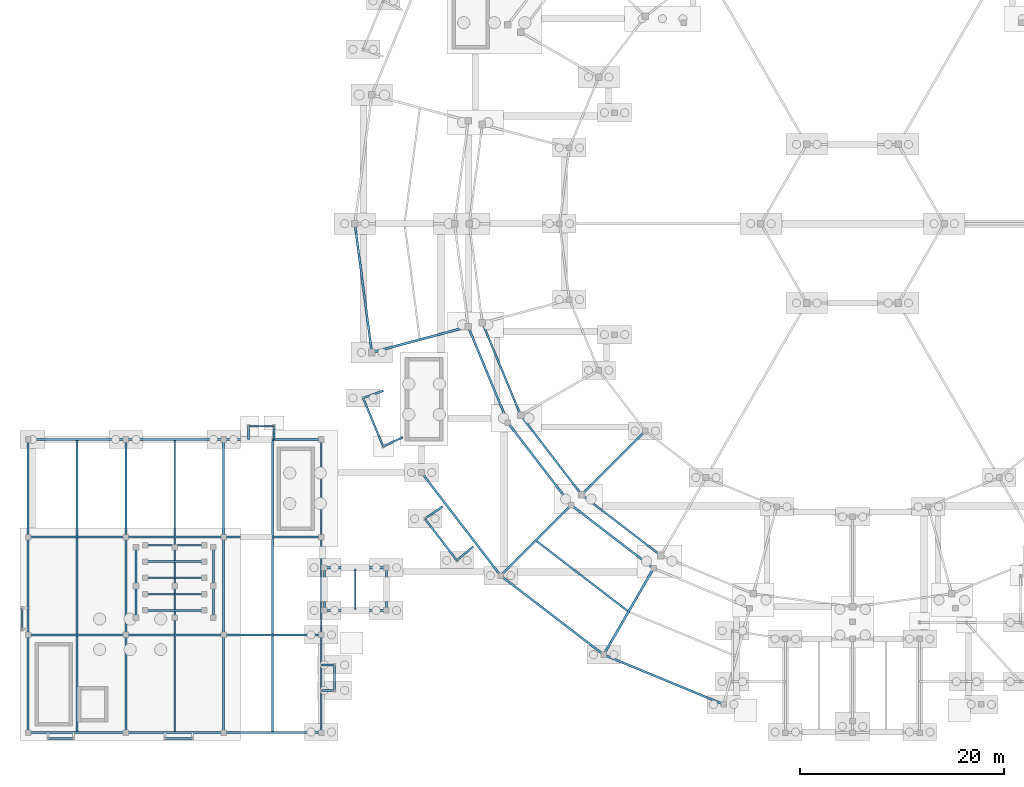
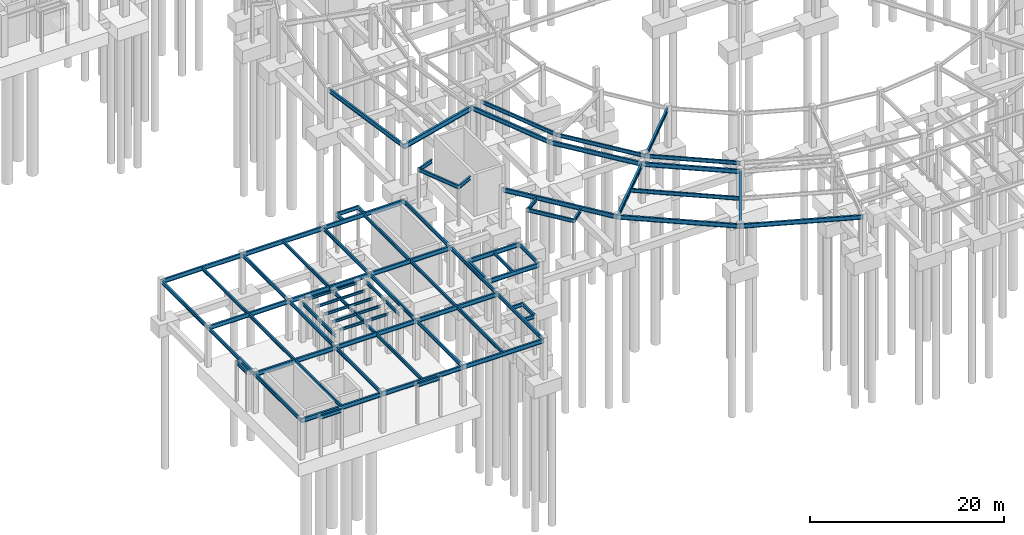
# One storey, part 37 of 55: 77 beams.
"""IFC4 building model written with IfcOpenShell, lengths in metres."""

from ifc_helpers import new_model, si_unit, direction, frame, origin, origin_2d, place, context, subcontext, project, spatial, i_section, extrude, material, material_profile, profile_set, type_object, element, save


model = new_model("IFC4")

# Units and contexts
model_context = context("Model", 3, precision=1e-05, world=origin(), true_north=direction((0.0, 1.0)))
body_context = subcontext(model_context, "Body", "Model", "MODEL_VIEW")
ifc_project = project(units=[si_unit("LENGTHUNIT", "METRE"), si_unit("AREAUNIT", "SQUARE_METRE"), si_unit("VOLUMEUNIT", "CUBIC_METRE"), si_unit("PLANEANGLEUNIT", "RADIAN"), si_unit("MASSUNIT", "GRAM", prefix="KILO")], contexts=[model_context])

# Site, building, storey
site_placement = place(None, origin())
site = spatial("IfcSite", under=ifc_project, at=site_placement, CompositionType="ELEMENT")
building_placement = place(site_placement, origin())
building = spatial("IfcBuilding", under=site, at=building_placement, Name="Almandine Court Research Institute", CompositionType="ELEMENT")
storey_placement = place(building_placement, frame((0.0, 0.0, -5.25)))
storey = spatial("IfcBuildingStorey", under=building, at=storey_placement, Name="B1", CompositionType="ELEMENT", Elevation=-5.25)

# Beams
ifc_material = material(Name="Steel ASTM A992 Grade 50", Category="steel")
ifc_material_profile_1 = material_profile(ifc_material, i_section(OverallWidth=0.18994140625, OverallDepth=0.45703125, WebThickness=0.009033203125, FlangeThickness=0.014892578125, at=origin_2d()), Name="W460x74")
ifc_profile_set_1 = profile_set([ifc_material_profile_1], Name="Steel ASTM A992 Grade 50")
beam_type_1 = type_object("IfcBeamType", Name="Beam-B-01", PredefinedType="BEAM", material=ifc_profile_set_1)
for number, where, z_axis, x_axis, name in (
    (1, (6.0, 6.0, 4.77099609375), (0.0, 1.0, 0.0), (-1.0, 0.0, 0.0), "B1 V1 Primary Y Girder"),
    (2, (15.60009765625, 6.0, 4.77099609375), (0.0, 1.0, 0.0), (-1.0, 0.0, 0.0), "B1 V1 Primary Y Girder"),
    (3, (25.199951171875, 6.0, 4.77099609375), (0.0, 1.0, 0.0), (-1.0, 0.0, 0.0), "B1 V1 Primary Y Girder"),
    (4, (34.800048828125, 6.0, 4.77099609375), (0.0, 1.0, 0.0), (-1.0, 0.0, 0.0), "B1 V1 Primary Y Girder"),
):
    element("IfcBeam", number, at=place(storey_placement, frame(where, z_axis=z_axis, x_axis=x_axis)), inside=storey, type_object=beam_type_1, Name=name, PredefinedType="BEAM", context=body_context, shape_type="SweptSolid", body=[
        extrude(i_section(OverallWidth=0.18994140625, OverallDepth=0.45703125, WebThickness=0.009033203125, FlangeThickness=0.014892578125, at=origin_2d()), origin(), (0.0, 0.0, 1.0), 9.60009765625),
    ])
for number, where, z_axis, x_axis, name in (
    (5, (6.0, 15.60009765625, 4.77099609375), (0.0, 1.0, 0.0), (-1.0, 0.0, 0.0), "B1 V1 Primary Y Girder"),
    (6, (15.60009765625, 15.60009765625, 4.77099609375), (0.0, 1.0, 0.0), (-1.0, 0.0, 0.0), "B1 V1 Primary Y Girder"),
    (7, (25.199951171875, 15.60009765625, 4.77099609375), (0.0, 1.0, 0.0), (-1.0, 0.0, 0.0), "B1 V1 Primary Y Girder"),
    (8, (34.800048828125, 15.60009765625, 4.77099609375), (0.0, 1.0, 0.0), (-1.0, 0.0, 0.0), "B1 V1 Primary Y Girder"),
):
    element("IfcBeam", number, at=place(storey_placement, frame(where, z_axis=z_axis, x_axis=x_axis)), inside=storey, type_object=beam_type_1, Name=name, PredefinedType="BEAM", context=body_context, shape_type="SweptSolid", body=[
        extrude(i_section(OverallWidth=0.18994140625, OverallDepth=0.45703125, WebThickness=0.009033203125, FlangeThickness=0.014892578125, at=origin_2d()), origin(), (0.0, 0.0, 1.0), 9.599853515625),
    ])
for number, where, z_axis, x_axis, name in (
    (9, (6.0, 25.199951171875, 4.77099609375), (0.0, 1.0, 0.0), (-1.0, 0.0, 0.0), "B1 V1 Primary Y Girder"),
    (10, (15.60009765625, 25.199951171875, 4.77099609375), (0.0, 1.0, 0.0), (-1.0, 0.0, 0.0), "B1 V1 Primary Y Girder"),
    (11, (25.199951171875, 25.199951171875, 4.77099609375), (0.0, 1.0, 0.0), (-1.0, 0.0, 0.0), "B1 V1 Primary Y Girder"),
    (12, (34.800048828125, 25.199951171875, 4.77099609375), (0.0, 1.0, 0.0), (-1.0, 0.0, 0.0), "B1 V1 Primary Y Girder"),
):
    element("IfcBeam", number, at=place(storey_placement, frame(where, z_axis=z_axis, x_axis=x_axis)), inside=storey, type_object=beam_type_1, Name=name, PredefinedType="BEAM", context=body_context, shape_type="SweptSolid", body=[
        extrude(i_section(OverallWidth=0.18994140625, OverallDepth=0.45703125, WebThickness=0.009033203125, FlangeThickness=0.014892578125, at=origin_2d()), origin(), (0.0, 0.0, 1.0), 9.60009765625),
    ])
for number, where, z_axis, x_axis, name in (
    (13, (35.10009765625, 18.0, 4.77099609375), (0.0, 1.0, 0.0), (-1.0, 0.0, 0.0), "B1 DAL-SW Primary Y Girder"),
    (14, (41.199951171875, 18.0, 4.77099609375), (0.0, 1.0, 0.0), (-1.0, 0.0, 0.0), "B1 DAL-SW Primary Y Girder"),
):
    element("IfcBeam", number, at=place(storey_placement, frame(where, z_axis=z_axis, x_axis=x_axis)), inside=storey, type_object=beam_type_1, Name=name, PredefinedType="BEAM", context=body_context, shape_type="SweptSolid", body=[
        extrude(i_section(OverallWidth=0.18994140625, OverallDepth=0.45703125, WebThickness=0.009033203125, FlangeThickness=0.014892578125, at=origin_2d()), origin(), (0.0, 0.0, 1.0), 4.199951171875),
    ])
beam_1_placement = place(storey_placement, frame((55.971923828125, 24.802978515625, 4.77099609375), z_axis=(0.793343941772, -0.608773677202, 0.0), x_axis=(0.608773677202, 0.793343941772, 0.0)))
element("IfcBeam", 15, at=beam_1_placement, inside=storey, type_object=beam_type_1, Name="B1 Drum MID Ring Beam 15", PredefinedType="BEAM", context=body_context, shape_type="SweptSolid", body=[
    extrude(i_section(OverallWidth=0.18994140625, OverallDepth=0.45703125, WebThickness=0.009033203125, FlangeThickness=0.014892578125, at=origin_2d()), origin(), (0.0, 0.0, 1.0), 11.248779296875),
])
beam_2_placement = place(storey_placement, frame((50.633056640625, 46.2548828125, 4.77099609375), z_axis=(0.382683080424, -0.92387967829, 0.0), x_axis=(0.92387967829, 0.382683080424, 0.0)))
element("IfcBeam", 16, at=beam_2_placement, inside=storey, type_object=beam_type_1, Name="B1 Atrium Outer Ring Beam", PredefinedType="BEAM", context=body_context, shape_type="SweptSolid", body=[
    extrude(i_section(OverallWidth=0.18994140625, OverallDepth=0.45703125, WebThickness=0.009033203125, FlangeThickness=0.014892578125, at=origin_2d()), origin(), (0.0, 0.0, 1.0), 9.827880859375),
])
for number, where, z_axis, x_axis, name in (
    (17, (54.39404296875, 37.175048828125, 4.77099609375), (0.608711534396, -0.793391623282, 0.0), (0.793391623282, 0.608711534396, 0.0), "B1 Atrium Outer Ring Beam"),
    (18, (60.376953125, 29.376953125, 4.77099609375), (0.793391623282, -0.608711534396, 0.0), (0.608711534396, 0.793391623282, 0.0), "B1 Atrium Outer Ring Beam"),
):
    element("IfcBeam", number, at=place(storey_placement, frame(where, z_axis=z_axis, x_axis=x_axis)), inside=storey, type_object=beam_type_1, Name=name, PredefinedType="BEAM", context=body_context, shape_type="SweptSolid", body=[
        extrude(i_section(OverallWidth=0.18994140625, OverallDepth=0.45703125, WebThickness=0.009033203125, FlangeThickness=0.014892578125, at=origin_2d()), origin(), (0.0, 0.0, 1.0), 9.828857421875),
    ])
beam_3_placement = place(storey_placement, frame((7.949951171875, 5.419921875, 4.822021484375), z_axis=(1.0, 0.0, 0.0), x_axis=(0.0, 1.0, 0.0)))
element("IfcBeam", 19, at=beam_3_placement, inside=storey, type_object=beam_type_1, Name="B1 Threshold Edge Girder PAD-V1-S1-1", PredefinedType="BEAM", context=body_context, shape_type="SweptSolid", body=[
    extrude(i_section(OverallWidth=0.18994140625, OverallDepth=0.45703125, WebThickness=0.009033203125, FlangeThickness=0.014892578125, at=origin_2d()), origin(), (0.0, 0.0, 1.0), 2.5),
])
beam_4_placement = place(storey_placement, frame((5.419921875, 16.14990234375, 4.822021484375), z_axis=(0.0, 1.0, 0.0), x_axis=(-1.0, 0.0, 0.0)))
element("IfcBeam", 20, at=beam_4_placement, inside=storey, type_object=beam_type_1, Name="B1 Threshold Edge Girder PAD-V1-W2-1", PredefinedType="BEAM", context=body_context, shape_type="SweptSolid", body=[
    extrude(i_section(OverallWidth=0.18994140625, OverallDepth=0.45703125, WebThickness=0.009033203125, FlangeThickness=0.014892578125, at=origin_2d()), origin(), (0.0, 0.0, 1.0), 2.10009765625),
])
beam_5_placement = place(storey_placement, frame((19.449951171875, 5.419921875, 4.822021484375), z_axis=(1.0, 0.0, 0.0), x_axis=(0.0, 1.0, 0.0)))
element("IfcBeam", 21, at=beam_5_placement, inside=storey, type_object=beam_type_1, Name="B1 Threshold Edge Girder PAD-V1-S2-1", PredefinedType="BEAM", context=body_context, shape_type="SweptSolid", body=[
    extrude(i_section(OverallWidth=0.18994140625, OverallDepth=0.45703125, WebThickness=0.009033203125, FlangeThickness=0.014892578125, at=origin_2d()), origin(), (0.0, 0.0, 1.0), 2.699951171875),
])
for number, where, z_axis, x_axis, name in (
    (22, (36.10009765625, 10.14990234375, 4.76904296875), (-1.0, 0.0, 0.0), (0.0, -1.0, 0.0), "B1 Threshold Support Beam PAD-V1-E1-1"),
    (23, (36.10009765625, 12.64990234375, 4.76904296875), (-1.0, 0.0, 0.0), (0.0, -1.0, 0.0), "B1 Threshold Support Beam PAD-V1-E1-2"),
):
    element("IfcBeam", number, at=place(storey_placement, frame(where, z_axis=z_axis, x_axis=x_axis)), inside=storey, type_object=beam_type_1, Name=name, PredefinedType="BEAM", context=body_context, shape_type="SweptSolid", body=[
        extrude(i_section(OverallWidth=0.18994140625, OverallDepth=0.45703125, WebThickness=0.009033203125, FlangeThickness=0.014892578125, at=origin_2d()), origin(), (0.0, 0.0, 1.0), 1.300048828125),
    ])
beam_6_placement = place(storey_placement, frame((36.10009765625, 10.14990234375, 4.822021484375), z_axis=(0.0, 1.0, 0.0), x_axis=(-1.0, 0.0, 0.0)))
element("IfcBeam", 24, at=beam_6_placement, inside=storey, type_object=beam_type_1, Name="B1 Threshold Edge Girder PAD-V1-E1-1", PredefinedType="BEAM", context=body_context, shape_type="SweptSolid", body=[
    extrude(i_section(OverallWidth=0.18994140625, OverallDepth=0.45703125, WebThickness=0.009033203125, FlangeThickness=0.014892578125, at=origin_2d()), origin(), (0.0, 0.0, 1.0), 2.5),
])
for number, where, z_axis, x_axis, name in (
    (25, (27.64990234375, 36.10009765625, 4.76904296875), (0.0, -1.0, 0.0), (1.0, 0.0, 0.0), "B1 Threshold Support Beam PAD-V1-N3-1"),
    (26, (30.14990234375, 36.10009765625, 4.76904296875), (0.0, -1.0, 0.0), (1.0, 0.0, 0.0), "B1 Threshold Support Beam PAD-V1-N3-2"),
):
    element("IfcBeam", number, at=place(storey_placement, frame(where, z_axis=z_axis, x_axis=x_axis)), inside=storey, type_object=beam_type_1, Name=name, PredefinedType="BEAM", context=body_context, shape_type="SweptSolid", body=[
        extrude(i_section(OverallWidth=0.18994140625, OverallDepth=0.45703125, WebThickness=0.009033203125, FlangeThickness=0.014892578125, at=origin_2d()), origin(), (0.0, 0.0, 1.0), 1.300048828125),
    ])
beam_7_placement = place(storey_placement, frame((27.64990234375, 36.10009765625, 4.822021484375), z_axis=(1.0, 0.0, 0.0), x_axis=(0.0, 1.0, 0.0)))
element("IfcBeam", 27, at=beam_7_placement, inside=storey, type_object=beam_type_1, Name="B1 Threshold Edge Girder PAD-V1-N3-1", PredefinedType="BEAM", context=body_context, shape_type="SweptSolid", body=[
    extrude(i_section(OverallWidth=0.18994140625, OverallDepth=0.45703125, WebThickness=0.009033203125, FlangeThickness=0.014892578125, at=origin_2d()), origin(), (0.0, 0.0, 1.0), 2.5),
])
for number, where, z_axis, x_axis, name in (
    (28, (38.907958984375, 38.875, 4.76904296875), (0.942085363874, 0.33537317599, 0.0), (-0.33537317599, 0.942085363874, 0.0), "B1 Drum Threshold Radial Beam PAD-DRUM-S13-1"),
    (29, (40.885009765625, 34.10302734375, 4.76904296875), (0.903406906619, 0.42878428268, 0.0), (-0.42878428268, 0.903406906619, 0.0), "B1 Drum Threshold Radial Beam PAD-DRUM-S13-2"),
):
    element("IfcBeam", number, at=place(storey_placement, frame(where, z_axis=z_axis, x_axis=x_axis)), inside=storey, type_object=beam_type_1, Name=name, PredefinedType="BEAM", context=body_context, shape_type="SweptSolid", body=[
        extrude(i_section(OverallWidth=0.18994140625, OverallDepth=0.45703125, WebThickness=0.009033203125, FlangeThickness=0.014892578125, at=origin_2d()), origin(), (0.0, 0.0, 1.0), 2.119873046875),
    ])
beam_8_placement = place(storey_placement, frame((38.907958984375, 38.875, 4.822021484375), z_axis=(0.382755311713, -0.923849755834, 0.0), x_axis=(0.923849755834, 0.382755311713, 0.0)))
element("IfcBeam", 30, at=beam_8_placement, inside=storey, type_object=beam_type_1, Name="B1 Drum Threshold Edge Beam PAD-DRUM-S13", PredefinedType="BEAM", context=body_context, shape_type="SweptSolid", body=[
    extrude(i_section(OverallWidth=0.18994140625, OverallDepth=0.45703125, WebThickness=0.009033203125, FlangeThickness=0.014892578125, at=origin_2d()), origin(), (0.0, 0.0, 1.0), 5.165283203125),
])
beam_9_placement = place(storey_placement, frame((44.97900390625, 27.011962890625, 4.76904296875), z_axis=(0.82330187502, 0.56760375491, 0.0), x_axis=(-0.56760375491, 0.82330187502, 0.0)))
element("IfcBeam", 31, at=beam_9_placement, inside=storey, type_object=beam_type_1, Name="B1 Drum Threshold Radial Beam PAD-DRUM-S14-1", PredefinedType="BEAM", context=body_context, shape_type="SweptSolid", body=[
    extrude(i_section(OverallWidth=0.18994140625, OverallDepth=0.45703125, WebThickness=0.009033203125, FlangeThickness=0.014892578125, at=origin_2d()), origin(), (0.0, 0.0, 1.0), 2.11962890625),
])
beam_10_placement = place(storey_placement, frame((48.123046875, 22.9130859375, 4.76904296875), z_axis=(0.761640946437, 0.647999281413, 0.0), x_axis=(-0.647999281413, 0.761640946437, 0.0)))
element("IfcBeam", 32, at=beam_10_placement, inside=storey, type_object=beam_type_1, Name="B1 Drum Threshold Radial Beam PAD-DRUM-S14-2", PredefinedType="BEAM", context=body_context, shape_type="SweptSolid", body=[
    extrude(i_section(OverallWidth=0.18994140625, OverallDepth=0.45703125, WebThickness=0.009033203125, FlangeThickness=0.014892578125, at=origin_2d()), origin(), (0.0, 0.0, 1.0), 2.120361328125),
])
beam_11_placement = place(storey_placement, frame((44.97900390625, 27.011962890625, 4.822021484375), z_axis=(0.608623016028, -0.793459529126, 0.0), x_axis=(0.793459529126, 0.608623016028, 0.0)))
element("IfcBeam", 33, at=beam_11_placement, inside=storey, type_object=beam_type_1, Name="B1 Drum Threshold Edge Beam PAD-DRUM-S14", PredefinedType="BEAM", context=body_context, shape_type="SweptSolid", body=[
    extrude(i_section(OverallWidth=0.18994140625, OverallDepth=0.45703125, WebThickness=0.009033203125, FlangeThickness=0.014892578125, at=origin_2d()), origin(), (0.0, 0.0, 1.0), 5.165771484375),
])
ifc_material_profile_2 = material_profile(ifc_material, i_section(OverallWidth=0.178955078125, OverallDepth=0.409912109375, WebThickness=0.009033203125, FlangeThickness=0.013916015625, at=origin_2d()), Name="W410x67")
ifc_profile_set_2 = profile_set([ifc_material_profile_2], Name="Steel ASTM A992 Grade 50")
beam_type_2 = type_object("IfcBeamType", Name="Beam-B-02", PredefinedType="JOIST", material=ifc_profile_set_2)
for number, where, z_axis, x_axis, name in (
    (34, (10.800048828125, 6.10400390625, 4.794921875), (0.0, 1.0, 0.0), (-1.0, 0.0, 0.0), "B1 V1 Composite Secondary Beam"),
    (35, (20.39990234375, 6.10400390625, 4.794921875), (0.0, 1.0, 0.0), (-1.0, 0.0, 0.0), "B1 V1 Composite Secondary Beam"),
    (36, (30.0, 6.10400390625, 4.794921875), (0.0, 1.0, 0.0), (-1.0, 0.0, 0.0), "B1 V1 Composite Secondary Beam"),
):
    element("IfcBeam", number, at=place(storey_placement, frame(where, z_axis=z_axis, x_axis=x_axis)), inside=storey, type_object=beam_type_2, Name=name, PredefinedType="JOIST", context=body_context, shape_type="SweptSolid", body=[
        extrude(i_section(OverallWidth=0.178955078125, OverallDepth=0.409912109375, WebThickness=0.009033203125, FlangeThickness=0.013916015625, at=origin_2d()), origin(), (0.0, 0.0, 1.0), 9.39208984375),
    ])
for number, where, z_axis, x_axis, name in (
    (37, (10.800048828125, 15.7041015625, 4.794921875), (0.0, 1.0, 0.0), (-1.0, 0.0, 0.0), "B1 V1 Composite Secondary Beam"),
    (38, (20.39990234375, 15.7041015625, 4.794921875), (0.0, 1.0, 0.0), (-1.0, 0.0, 0.0), "B1 V1 Composite Secondary Beam"),
    (39, (30.0, 15.7041015625, 4.794921875), (0.0, 1.0, 0.0), (-1.0, 0.0, 0.0), "B1 V1 Composite Secondary Beam"),
):
    element("IfcBeam", number, at=place(storey_placement, frame(where, z_axis=z_axis, x_axis=x_axis)), inside=storey, type_object=beam_type_2, Name=name, PredefinedType="JOIST", context=body_context, shape_type="SweptSolid", body=[
        extrude(i_section(OverallWidth=0.178955078125, OverallDepth=0.409912109375, WebThickness=0.009033203125, FlangeThickness=0.013916015625, at=origin_2d()), origin(), (0.0, 0.0, 1.0), 9.391845703125),
    ])
for number, where, z_axis, x_axis, name in (
    (40, (10.800048828125, 25.302978515625, 4.794921875), (0.0, 1.0, 0.0), (-1.0, 0.0, 0.0), "B1 V1 Composite Secondary Beam"),
    (41, (20.39990234375, 25.302978515625, 4.794921875), (0.0, 1.0, 0.0), (-1.0, 0.0, 0.0), "B1 V1 Composite Secondary Beam"),
    (42, (30.0, 25.302978515625, 4.794921875), (0.0, 1.0, 0.0), (-1.0, 0.0, 0.0), "B1 V1 Composite Secondary Beam"),
):
    element("IfcBeam", number, at=place(storey_placement, frame(where, z_axis=z_axis, x_axis=x_axis)), inside=storey, type_object=beam_type_2, Name=name, PredefinedType="JOIST", context=body_context, shape_type="SweptSolid", body=[
        extrude(i_section(OverallWidth=0.178955078125, OverallDepth=0.409912109375, WebThickness=0.009033203125, FlangeThickness=0.013916015625, at=origin_2d()), origin(), (0.0, 0.0, 1.0), 9.39404296875),
    ])
beam_12_placement = place(storey_placement, frame((16.60009765625, 17.300048828125, 4.794921875), z_axis=(0.0, 1.0, 0.0), x_axis=(-1.0, 0.0, 0.0)))
element("IfcBeam", 43, at=beam_12_placement, inside=storey, type_object=beam_type_2, Name="B1 Lecture Raker Tie 1-1", PredefinedType="JOIST", context=body_context, shape_type="SweptSolid", body=[
    extrude(i_section(OverallWidth=0.178955078125, OverallDepth=0.409912109375, WebThickness=0.009033203125, FlangeThickness=0.013916015625, at=origin_2d()), origin(), (0.0, 0.0, 1.0), 3.099853515625),
])
beam_13_placement = place(storey_placement, frame((16.60009765625, 20.39990234375, 4.794921875), z_axis=(0.0, 1.0, 0.0), x_axis=(-1.0, 0.0, 0.0)))
element("IfcBeam", 44, at=beam_13_placement, inside=storey, type_object=beam_type_2, Name="B1 Lecture Raker Tie 1-2", PredefinedType="JOIST", context=body_context, shape_type="SweptSolid", body=[
    extrude(i_section(OverallWidth=0.178955078125, OverallDepth=0.409912109375, WebThickness=0.009033203125, FlangeThickness=0.013916015625, at=origin_2d()), origin(), (0.0, 0.0, 1.0), 3.800048828125),
])
beam_14_placement = place(storey_placement, frame((24.199951171875, 17.300048828125, 4.794921875), z_axis=(0.0, 1.0, 0.0), x_axis=(-1.0, 0.0, 0.0)))
element("IfcBeam", 45, at=beam_14_placement, inside=storey, type_object=beam_type_2, Name="B1 Lecture Raker Tie 3-1", PredefinedType="JOIST", context=body_context, shape_type="SweptSolid", body=[
    extrude(i_section(OverallWidth=0.178955078125, OverallDepth=0.409912109375, WebThickness=0.009033203125, FlangeThickness=0.013916015625, at=origin_2d()), origin(), (0.0, 0.0, 1.0), 3.099853515625),
])
beam_15_placement = place(storey_placement, frame((24.199951171875, 20.39990234375, 4.794921875), z_axis=(0.0, 1.0, 0.0), x_axis=(-1.0, 0.0, 0.0)))
element("IfcBeam", 46, at=beam_15_placement, inside=storey, type_object=beam_type_2, Name="B1 Lecture Raker Tie 3-2", PredefinedType="JOIST", context=body_context, shape_type="SweptSolid", body=[
    extrude(i_section(OverallWidth=0.178955078125, OverallDepth=0.409912109375, WebThickness=0.009033203125, FlangeThickness=0.013916015625, at=origin_2d()), origin(), (0.0, 0.0, 1.0), 3.800048828125),
])
ifc_material_profile_3 = material_profile(ifc_material, i_section(OverallWidth=0.172119140625, OverallDepth=0.35791015625, WebThickness=0.008056640625, FlangeThickness=0.012939453125, at=origin_2d()), Name="W360x57")
ifc_profile_set_3 = profile_set([ifc_material_profile_3], Name="Steel ASTM A992 Grade 50")
beam_type_3 = type_object("IfcBeamType", Name="Beam-B-03", PredefinedType="JOIST", material=ifc_profile_set_3)
beam_16_placement = place(storey_placement, frame((38.14990234375, 18.10400390625, 4.821044921875), z_axis=(0.0, 1.0, 0.0), x_axis=(-1.0, 0.0, 0.0)))
element("IfcBeam", 47, at=beam_16_placement, inside=storey, type_object=beam_type_3, Name="B1 DAL-SW Composite Secondary Beam", PredefinedType="JOIST", context=body_context, shape_type="SweptSolid", body=[
    extrude(i_section(OverallWidth=0.172119140625, OverallDepth=0.35791015625, WebThickness=0.008056640625, FlangeThickness=0.012939453125, at=origin_2d()), origin(), (0.0, 0.0, 1.0), 3.991943359375),
])
ifc_material_profile_4 = material_profile(ifc_material, i_section(OverallWidth=0.166015625, OverallDepth=0.31298828125, WebThickness=0.007080078125, FlangeThickness=0.010986328125, at=origin_2d()), Name="W310x45")
ifc_profile_set_4 = profile_set([ifc_material_profile_4], Name="Steel ASTM A992 Grade 50")
beam_type_4 = type_object("IfcBeamType", Name="Beam-B-04", PredefinedType="BEAM", material=ifc_profile_set_4)
for number, where, z_axis, x_axis, name in (
    (48, (17.5, 18.0, 4.843994140625), (1.0, 0.0, 0.0), (0.0, 1.0, 0.0), "B1 Lecture Tier Substructure Tie 2"),
    (49, (17.5, 19.60009765625, 4.843994140625), (1.0, 0.0, 0.0), (0.0, 1.0, 0.0), "B1 Lecture Tier Substructure Tie 3"),
    (50, (17.5, 21.199951171875, 4.843994140625), (1.0, 0.0, 0.0), (0.0, 1.0, 0.0), "B1 Lecture Tier Substructure Tie 4"),
    (51, (17.5, 22.800048828125, 4.843994140625), (1.0, 0.0, 0.0), (0.0, 1.0, 0.0), "B1 Lecture Tier Substructure Tie 5"),
    (52, (17.5, 24.39990234375, 4.843994140625), (1.0, 0.0, 0.0), (0.0, 1.0, 0.0), "B1 Lecture Tier Substructure Tie 6"),
):
    element("IfcBeam", number, at=place(storey_placement, frame(where, z_axis=z_axis, x_axis=x_axis)), inside=storey, type_object=beam_type_4, Name=name, PredefinedType="BEAM", context=body_context, shape_type="SweptSolid", body=[
        extrude(i_section(OverallWidth=0.166015625, OverallDepth=0.31298828125, WebThickness=0.007080078125, FlangeThickness=0.010986328125, at=origin_2d()), origin(), (0.0, 0.0, 1.0), 5.800048828125),
    ])
ifc_material_profile_5 = material_profile(ifc_material, i_section(OverallWidth=0.22998046875, OverallDepth=0.616943359375, WebThickness=0.012939453125, FlangeThickness=0.02197265625, at=origin_2d()), Name="W610x140")
ifc_profile_set_5 = profile_set([ifc_material_profile_5], Name="Steel ASTM A992 Grade 50")
beam_type_5 = type_object("IfcBeamType", Name="Beam-G-02", PredefinedType="BEAM", material=ifc_profile_set_5)
beam_17_placement = place(storey_placement, frame((49.23193359375, 45.8798828125, 4.69189453125), z_axis=(-0.965937821551, -0.258774274024, 0.0), x_axis=(0.258774274024, -0.965937821551, 0.0)))
element("IfcBeam", 53, at=beam_17_placement, inside=storey, type_object=beam_type_5, Name="B1 Drum Radial Girder 13", PredefinedType="BEAM", context=body_context, shape_type="SweptSolid", body=[
    extrude(i_section(OverallWidth=0.22998046875, OverallDepth=0.616943359375, WebThickness=0.012939453125, FlangeThickness=0.02197265625, at=origin_2d()), origin(), (0.0, 0.0, 1.0), 9.799560546875),
])
beam_18_placement = place(storey_placement, frame((59.35205078125, 28.35205078125, 4.69189453125), z_axis=(-0.707106781187, -0.707106781187, 0.0), x_axis=(0.707106781187, -0.707106781187, 0.0)))
element("IfcBeam", 54, at=beam_18_placement, inside=storey, type_object=beam_type_5, Name="B1 Drum Radial Girder 15", PredefinedType="BEAM", context=body_context, shape_type="SweptSolid", body=[
    extrude(i_section(OverallWidth=0.22998046875, OverallDepth=0.616943359375, WebThickness=0.012939453125, FlangeThickness=0.02197265625, at=origin_2d()), origin(), (0.0, 0.0, 1.0), 9.80029296875),
])
beam_19_placement = place(storey_placement, frame((67.449951171875, 22.137939453125, 4.69189453125), z_axis=(-0.49999201416, -0.866030014362, 0.0), x_axis=(0.866030014362, -0.49999201416, 0.0)))
element("IfcBeam", 55, at=beam_19_placement, inside=storey, type_object=beam_type_5, Name="B1 Drum Radial Girder 16", PredefinedType="BEAM", context=body_context, shape_type="SweptSolid", body=[
    extrude(i_section(OverallWidth=0.22998046875, OverallDepth=0.616943359375, WebThickness=0.012939453125, FlangeThickness=0.02197265625, at=origin_2d()), origin(), (0.0, 0.0, 1.0), 9.800048828125),
])
ifc_material_profile_6 = material_profile(ifc_material, i_section(OverallWidth=0.2109375, OverallDepth=0.5390625, WebThickness=0.011962890625, FlangeThickness=0.01904296875, at=origin_2d()), Name="W530x109")
ifc_profile_set_6 = profile_set([ifc_material_profile_6], Name="Steel ASTM A992 Grade 50")
beam_type_6 = type_object("IfcBeamType", Name="Beam-G-04", PredefinedType="BEAM", material=ifc_profile_set_6)
beam_20_placement = place(storey_placement, frame((6.0, 6.0, 4.72998046875), z_axis=(1.0, 0.0, 0.0), x_axis=(0.0, 1.0, 0.0)))
element("IfcBeam", 56, at=beam_20_placement, inside=storey, type_object=beam_type_6, Name="B1 V1 Primary X Girder", PredefinedType="BEAM", context=body_context, shape_type="SweptSolid", body=[
    extrude(i_section(OverallWidth=0.2109375, OverallDepth=0.5390625, WebThickness=0.011962890625, FlangeThickness=0.01904296875, at=origin_2d()), origin(), (0.0, 0.0, 1.0), 9.60009765625),
])
beam_21_placement = place(storey_placement, frame((15.60009765625, 6.0, 4.72998046875), z_axis=(1.0, 0.0, 0.0), x_axis=(0.0, 1.0, 0.0)))
element("IfcBeam", 57, at=beam_21_placement, inside=storey, type_object=beam_type_6, Name="B1 V1 Primary X Girder", PredefinedType="BEAM", context=body_context, shape_type="SweptSolid", body=[
    extrude(i_section(OverallWidth=0.2109375, OverallDepth=0.5390625, WebThickness=0.011962890625, FlangeThickness=0.01904296875, at=origin_2d()), origin(), (0.0, 0.0, 1.0), 9.599853515625),
])
for number, where, z_axis, x_axis, name in (
    (58, (25.199951171875, 6.0, 4.72998046875), (1.0, 0.0, 0.0), (0.0, 1.0, 0.0), "B1 V1 Primary X Girder"),
    (59, (6.0, 15.60009765625, 4.72998046875), (1.0, 0.0, 0.0), (0.0, 1.0, 0.0), "B1 V1 Primary X Girder"),
):
    element("IfcBeam", number, at=place(storey_placement, frame(where, z_axis=z_axis, x_axis=x_axis)), inside=storey, type_object=beam_type_6, Name=name, PredefinedType="BEAM", context=body_context, shape_type="SweptSolid", body=[
        extrude(i_section(OverallWidth=0.2109375, OverallDepth=0.5390625, WebThickness=0.011962890625, FlangeThickness=0.01904296875, at=origin_2d()), origin(), (0.0, 0.0, 1.0), 9.60009765625),
    ])
beam_22_placement = place(storey_placement, frame((15.60009765625, 15.60009765625, 4.72998046875), z_axis=(1.0, 0.0, 0.0), x_axis=(0.0, 1.0, 0.0)))
element("IfcBeam", 60, at=beam_22_placement, inside=storey, type_object=beam_type_6, Name="B1 V1 Primary X Girder", PredefinedType="BEAM", context=body_context, shape_type="SweptSolid", body=[
    extrude(i_section(OverallWidth=0.2109375, OverallDepth=0.5390625, WebThickness=0.011962890625, FlangeThickness=0.01904296875, at=origin_2d()), origin(), (0.0, 0.0, 1.0), 9.599853515625),
])
for number, where, z_axis, x_axis, name in (
    (61, (25.199951171875, 15.60009765625, 4.72998046875), (1.0, 0.0, 0.0), (0.0, 1.0, 0.0), "B1 V1 Primary X Girder"),
    (62, (6.0, 25.199951171875, 4.72998046875), (1.0, 0.0, 0.0), (0.0, 1.0, 0.0), "B1 V1 Primary X Girder"),
):
    element("IfcBeam", number, at=place(storey_placement, frame(where, z_axis=z_axis, x_axis=x_axis)), inside=storey, type_object=beam_type_6, Name=name, PredefinedType="BEAM", context=body_context, shape_type="SweptSolid", body=[
        extrude(i_section(OverallWidth=0.2109375, OverallDepth=0.5390625, WebThickness=0.011962890625, FlangeThickness=0.01904296875, at=origin_2d()), origin(), (0.0, 0.0, 1.0), 9.60009765625),
    ])
beam_23_placement = place(storey_placement, frame((15.60009765625, 25.199951171875, 4.72998046875), z_axis=(1.0, 0.0, 0.0), x_axis=(0.0, 1.0, 0.0)))
element("IfcBeam", 63, at=beam_23_placement, inside=storey, type_object=beam_type_6, Name="B1 V1 Primary X Girder", PredefinedType="BEAM", context=body_context, shape_type="SweptSolid", body=[
    extrude(i_section(OverallWidth=0.2109375, OverallDepth=0.5390625, WebThickness=0.011962890625, FlangeThickness=0.01904296875, at=origin_2d()), origin(), (0.0, 0.0, 1.0), 9.599853515625),
])
for number, where, z_axis, x_axis, name in (
    (64, (25.199951171875, 25.199951171875, 4.72998046875), (1.0, 0.0, 0.0), (0.0, 1.0, 0.0), "B1 V1 Primary X Girder"),
    (65, (6.0, 34.800048828125, 4.72998046875), (1.0, 0.0, 0.0), (0.0, 1.0, 0.0), "B1 V1 Primary X Girder"),
):
    element("IfcBeam", number, at=place(storey_placement, frame(where, z_axis=z_axis, x_axis=x_axis)), inside=storey, type_object=beam_type_6, Name=name, PredefinedType="BEAM", context=body_context, shape_type="SweptSolid", body=[
        extrude(i_section(OverallWidth=0.2109375, OverallDepth=0.5390625, WebThickness=0.011962890625, FlangeThickness=0.01904296875, at=origin_2d()), origin(), (0.0, 0.0, 1.0), 9.60009765625),
    ])
beam_24_placement = place(storey_placement, frame((15.60009765625, 34.800048828125, 4.72998046875), z_axis=(1.0, 0.0, 0.0), x_axis=(0.0, 1.0, 0.0)))
element("IfcBeam", 66, at=beam_24_placement, inside=storey, type_object=beam_type_6, Name="B1 V1 Primary X Girder", PredefinedType="BEAM", context=body_context, shape_type="SweptSolid", body=[
    extrude(i_section(OverallWidth=0.2109375, OverallDepth=0.5390625, WebThickness=0.011962890625, FlangeThickness=0.01904296875, at=origin_2d()), origin(), (0.0, 0.0, 1.0), 9.599853515625),
])
beam_25_placement = place(storey_placement, frame((25.199951171875, 34.800048828125, 4.72998046875), z_axis=(1.0, 0.0, 0.0), x_axis=(0.0, 1.0, 0.0)))
element("IfcBeam", 67, at=beam_25_placement, inside=storey, type_object=beam_type_6, Name="B1 V1 Primary X Girder", PredefinedType="BEAM", context=body_context, shape_type="SweptSolid", body=[
    extrude(i_section(OverallWidth=0.2109375, OverallDepth=0.5390625, WebThickness=0.011962890625, FlangeThickness=0.01904296875, at=origin_2d()), origin(), (0.0, 0.0, 1.0), 9.60009765625),
])
for number, where, z_axis, x_axis, name in (
    (68, (35.10009765625, 18.0, 4.72998046875), (1.0, 0.0, 0.0), (0.0, 1.0, 0.0), "B1 DAL-SW Primary X Girder"),
    (69, (35.10009765625, 22.199951171875, 4.72998046875), (1.0, 0.0, 0.0), (0.0, 1.0, 0.0), "B1 DAL-SW Primary X Girder"),
):
    element("IfcBeam", number, at=place(storey_placement, frame(where, z_axis=z_axis, x_axis=x_axis)), inside=storey, type_object=beam_type_6, Name=name, PredefinedType="BEAM", context=body_context, shape_type="SweptSolid", body=[
        extrude(i_section(OverallWidth=0.2109375, OverallDepth=0.5390625, WebThickness=0.011962890625, FlangeThickness=0.01904296875, at=origin_2d()), origin(), (0.0, 0.0, 1.0), 6.099853515625),
    ])
beam_26_placement = place(storey_placement, frame((38.10009765625, 56.0, 4.72998046875), z_axis=(0.130512396599, -0.991446677504, 0.0), x_axis=(0.991446677504, 0.130512396599, 0.0)))
element("IfcBeam", 70, at=beam_26_placement, inside=storey, type_object=beam_type_6, Name="B1 Drum OUT Ring Beam 12", PredefinedType="BEAM", context=body_context, shape_type="SweptSolid", body=[
    extrude(i_section(OverallWidth=0.2109375, OverallDepth=0.5390625, WebThickness=0.011962890625, FlangeThickness=0.01904296875, at=origin_2d()), origin(), (0.0, 0.0, 1.0), 12.76513671875),
])
beam_27_placement = place(storey_placement, frame((49.23193359375, 45.8798828125, 4.72998046875), z_axis=(0.382683455912, -0.923879522758, 0.0), x_axis=(0.923879522758, 0.382683455912, 0.0)))
element("IfcBeam", 71, at=beam_27_placement, inside=storey, type_object=beam_type_6, Name="B1 Drum IN Ring Beam 13", PredefinedType="BEAM", context=body_context, shape_type="SweptSolid", body=[
    extrude(i_section(OverallWidth=0.2109375, OverallDepth=0.5390625, WebThickness=0.011962890625, FlangeThickness=0.01904296875, at=origin_2d()), origin(), (0.0, 0.0, 1.0), 10.206787109375),
])
beam_28_placement = place(storey_placement, frame((53.137939453125, 36.449951171875, 4.72998046875), z_axis=(0.608784478787, -0.793335653042, 0.0), x_axis=(0.793335653042, 0.608784478787, 0.0)))
element("IfcBeam", 72, at=beam_28_placement, inside=storey, type_object=beam_type_6, Name="B1 Drum IN Ring Beam 14", PredefinedType="BEAM", context=body_context, shape_type="SweptSolid", body=[
    extrude(i_section(OverallWidth=0.2109375, OverallDepth=0.5390625, WebThickness=0.011962890625, FlangeThickness=0.01904296875, at=origin_2d()), origin(), (0.0, 0.0, 1.0), 10.20751953125),
])
beam_29_placement = place(storey_placement, frame((44.65087890625, 31.550048828125, 4.72998046875), z_axis=(0.608751886289, -0.793360662587, 0.0), x_axis=(0.793360662587, 0.608751886289, 0.0)))
element("IfcBeam", 73, at=beam_29_placement, inside=storey, type_object=beam_type_6, Name="B1 Drum OUT Ring Beam 14", PredefinedType="BEAM", context=body_context, shape_type="SweptSolid", body=[
    extrude(i_section(OverallWidth=0.2109375, OverallDepth=0.5390625, WebThickness=0.011962890625, FlangeThickness=0.01904296875, at=origin_2d()), origin(), (0.0, 0.0, 1.0), 12.765869140625),
])
beam_30_placement = place(storey_placement, frame((59.35205078125, 28.35205078125, 4.72998046875), z_axis=(0.793335653042, -0.608784478787, 0.0), x_axis=(0.608784478787, 0.793335653042, 0.0)))
element("IfcBeam", 74, at=beam_30_placement, inside=storey, type_object=beam_type_6, Name="B1 Drum IN Ring Beam 15", PredefinedType="BEAM", context=body_context, shape_type="SweptSolid", body=[
    extrude(i_section(OverallWidth=0.2109375, OverallDepth=0.5390625, WebThickness=0.011962890625, FlangeThickness=0.01904296875, at=origin_2d()), origin(), (0.0, 0.0, 1.0), 10.20751953125),
])
beam_31_placement = place(storey_placement, frame((52.422119140625, 21.422119140625, 4.72998046875), z_axis=(0.793360662587, -0.608751886289, 0.0), x_axis=(0.608751886289, 0.793360662587, 0.0)))
element("IfcBeam", 75, at=beam_31_placement, inside=storey, type_object=beam_type_6, Name="B1 Drum OUT Ring Beam 15", PredefinedType="BEAM", context=body_context, shape_type="SweptSolid", body=[
    extrude(i_section(OverallWidth=0.2109375, OverallDepth=0.5390625, WebThickness=0.011962890625, FlangeThickness=0.01904296875, at=origin_2d()), origin(), (0.0, 0.0, 1.0), 12.765869140625),
])
beam_32_placement = place(storey_placement, frame((62.550048828125, 13.65087890625, 4.72998046875), z_axis=(0.923891897665, -0.382653578879, 0.0), x_axis=(0.382653578879, 0.923891897665, 0.0)))
element("IfcBeam", 76, at=beam_32_placement, inside=storey, type_object=beam_type_6, Name="B1 Drum OUT Ring Beam 16", PredefinedType="BEAM", context=body_context, shape_type="SweptSolid", body=[
    extrude(i_section(OverallWidth=0.2109375, OverallDepth=0.5390625, WebThickness=0.011962890625, FlangeThickness=0.01904296875, at=origin_2d()), origin(), (0.0, 0.0, 1.0), 12.765625),
])
beam_33_placement = place(storey_placement, frame((66.635009765625, 35.635009765625, 4.72998046875), z_axis=(-0.707106781187, -0.707106781187, 0.0), x_axis=(0.707106781187, -0.707106781187, 0.0)))
element("IfcBeam", 77, at=beam_33_placement, inside=storey, type_object=beam_type_6, Name="B1 Atrium Gallery Radial Girder", PredefinedType="BEAM", context=body_context, shape_type="SweptSolid", body=[
    extrude(i_section(OverallWidth=0.2109375, OverallDepth=0.5390625, WebThickness=0.011962890625, FlangeThickness=0.01904296875, at=origin_2d()), origin(), (0.0, 0.0, 1.0), 8.850341796875),
])

save(model, "model.ifc")
